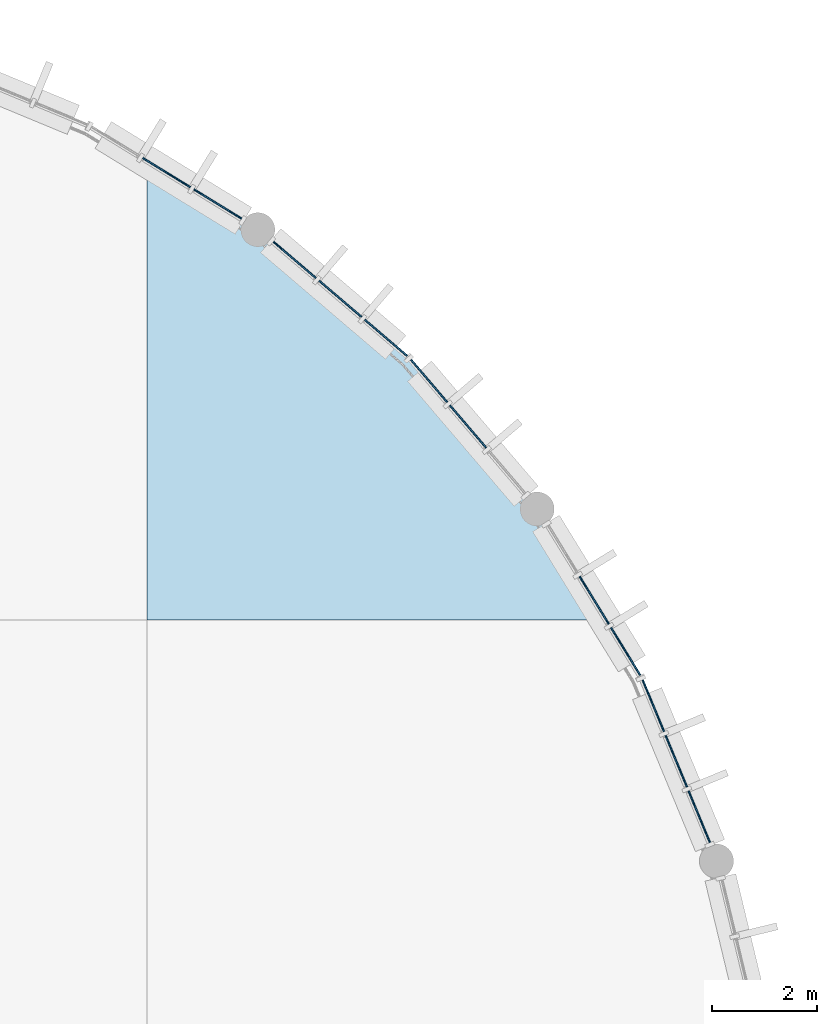
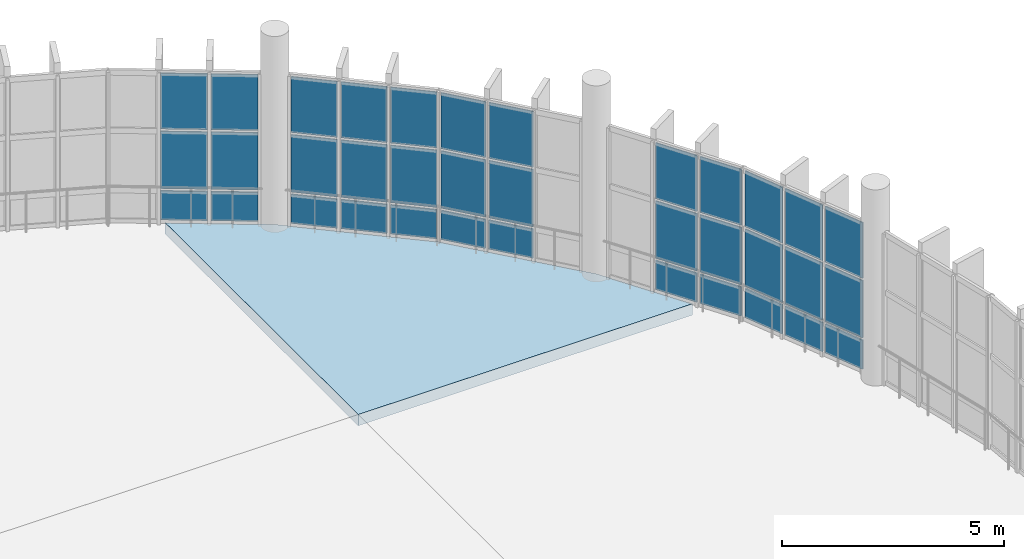
# One storey, part 75 of 112: 36 plates, 1 slab, 5 elements without a shape of their own.
"""IFC4 building model written with IfcOpenShell, lengths in metres."""

from ifc_helpers import new_model, si_unit, direction, frame, origin, origin_2d, place, context, subcontext, project, spatial, polyline, rectangle, outline, extrude, material, layer, layer_set, type_object, element, aggregate, save


model = new_model("IFC4")

# Units and contexts
model_context = context("Model", 3, precision=1e-05, world=origin(), true_north=direction((0.0, 1.0)))
body_context = subcontext(model_context, "Body", "Model", "MODEL_VIEW")
ifc_project = project(units=[si_unit("LENGTHUNIT", "METRE"), si_unit("AREAUNIT", "SQUARE_METRE"), si_unit("VOLUMEUNIT", "CUBIC_METRE"), si_unit("PLANEANGLEUNIT", "RADIAN"), si_unit("MASSUNIT", "GRAM", prefix="KILO")], contexts=[model_context])

# Site, building, storey
site_placement = place(None, origin())
site = spatial("IfcSite", under=ifc_project, at=site_placement, CompositionType="ELEMENT")
building_placement = place(site_placement, origin())
building = spatial("IfcBuilding", under=site, at=building_placement, Name="Kamomehara Wholesale Market", CompositionType="ELEMENT")
storey_placement = place(building_placement, frame((0.0, 0.0, 6.60009765625)))
storey = spatial("IfcBuildingStorey", under=building, at=storey_placement, Name="L01", CompositionType="ELEMENT", Elevation=6.60009765625)

# Curtain wall, plates
ifc_material_1 = material(Name="Anodised aluminium 6063-T5", Category="aluminium")
curtain_wall_type = type_object("IfcCurtainWallType", Name="CW-UN-05", PredefinedType="NOTDEFINED", material=ifc_material_1)
curtain_wall_1_placement = place(storey_placement, origin())
curtain_wall_1 = element("IfcCurtainWall", 1, at=curtain_wall_1_placement, inside=storey, type_object=curtain_wall_type, Name="Unitised curtain wall CW-100", PredefinedType="NOTDEFINED")
ifc_material_2 = material(Name="Solar-control Low-E double glazing", Category="glass")
ifc_layer_1 = layer(ifc_material_2, 0.028076171875)
ifc_layer_set_1 = layer_set([ifc_layer_1], Name="Solar-control Low-E double glazing")
plate_type_1 = type_object("IfcPlateType", Name="CW-PNL-GLZ", PredefinedType="CURTAIN_PANEL", material=ifc_layer_set_1)
plate_1_placement = place(storey_placement, frame((192.373046875, 152.501953125, 0.929931640625), z_axis=(0.0, 0.0, 1.0), x_axis=(0.852503345332, -0.522721767481, 0.0)))
plate_1 = element("IfcPlate", 2, at=plate_1_placement, type_object=plate_type_1, Name="Curtain panel CW-100.1.1", PredefinedType="CURTAIN_PANEL", context=body_context, shape_type="SweptSolid", body=[
    extrude(rectangle(XDim=1.06005859375, YDim=0.028076171875, at=origin_2d()), origin(), (0.0, 0.0, 1.0), 1.580078125),
])
plate_2_placement = place(storey_placement, frame((192.373046875, 152.501953125, 2.56982421875), z_axis=(0.0, 0.0, 1.0), x_axis=(0.852503345332, -0.522721767481, 0.0)))
plate_2 = element("IfcPlate", 3, at=plate_2_placement, type_object=plate_type_1, Name="Curtain panel CW-100.1.2", PredefinedType="CURTAIN_PANEL", context=body_context, shape_type="SweptSolid", body=[
    extrude(rectangle(XDim=1.06005859375, YDim=0.028076171875, at=origin_2d()), origin(), (0.0, 0.0, 1.0), 1.5400390625),
])
plate_3_placement = place(storey_placement, frame((193.344970703125, 151.906005859375, 0.929931640625), z_axis=(0.0, 0.0, 1.0), x_axis=(0.852503345332, -0.522721767481, 0.0)))
plate_3 = element("IfcPlate", 4, at=plate_3_placement, type_object=plate_type_1, Name="Curtain panel CW-100.2.1", PredefinedType="CURTAIN_PANEL", context=body_context, shape_type="SweptSolid", body=[
    extrude(rectangle(XDim=1.06005859375, YDim=0.028076171875, at=origin_2d()), origin(), (0.0, 0.0, 1.0), 1.580078125),
])
plate_4_placement = place(storey_placement, frame((193.344970703125, 151.906005859375, 2.56982421875), z_axis=(0.0, 0.0, 1.0), x_axis=(0.852503345332, -0.522721767481, 0.0)))
plate_4 = element("IfcPlate", 5, at=plate_4_placement, type_object=plate_type_1, Name="Curtain panel CW-100.2.2", PredefinedType="CURTAIN_PANEL", context=body_context, shape_type="SweptSolid", body=[
    extrude(rectangle(XDim=1.06005859375, YDim=0.028076171875, at=origin_2d()), origin(), (0.0, 0.0, 1.0), 1.5400390625),
])

curtain_wall_2_placement = place(storey_placement, origin())
curtain_wall_2 = element("IfcCurtainWall", 6, at=curtain_wall_2_placement, inside=storey, type_object=curtain_wall_type, Name="Unitised curtain wall CW-101", PredefinedType="NOTDEFINED")
plate_5_placement = place(storey_placement, frame((194.80810546875, 150.843017578125, 0.929931640625), z_axis=(0.0, 0.0, 1.0), x_axis=(0.760473971471, -0.649368415243, 0.0)))
plate_5 = element("IfcPlate", 7, at=plate_5_placement, type_object=plate_type_1, Name="Curtain panel CW-101.0.1", PredefinedType="CURTAIN_PANEL", context=body_context, shape_type="SweptSolid", body=[
    extrude(rectangle(XDim=1.06005859375, YDim=0.028076171875, at=origin_2d()), origin(), (0.0, 0.0, 1.0), 1.580078125),
])
plate_6_placement = place(storey_placement, frame((194.80810546875, 150.843017578125, 2.56982421875), z_axis=(0.0, 0.0, 1.0), x_axis=(0.760473971471, -0.649368415243, 0.0)))
plate_6 = element("IfcPlate", 8, at=plate_6_placement, type_object=plate_type_1, Name="Curtain panel CW-101.0.2", PredefinedType="CURTAIN_PANEL", context=body_context, shape_type="SweptSolid", body=[
    extrude(rectangle(XDim=1.06005859375, YDim=0.028076171875, at=origin_2d()), origin(), (0.0, 0.0, 1.0), 1.5400390625),
])
plate_7_placement = place(storey_placement, frame((195.675048828125, 150.10302734375, 0.929931640625), z_axis=(0.0, 0.0, 1.0), x_axis=(0.760473971471, -0.649368415243, 0.0)))
plate_7 = element("IfcPlate", 9, at=plate_7_placement, type_object=plate_type_1, Name="Curtain panel CW-101.1.1", PredefinedType="CURTAIN_PANEL", context=body_context, shape_type="SweptSolid", body=[
    extrude(rectangle(XDim=1.06005859375, YDim=0.028076171875, at=origin_2d()), origin(), (0.0, 0.0, 1.0), 1.580078125),
])
plate_8_placement = place(storey_placement, frame((195.675048828125, 150.10302734375, 2.56982421875), z_axis=(0.0, 0.0, 1.0), x_axis=(0.760473971471, -0.649368415243, 0.0)))
plate_8 = element("IfcPlate", 10, at=plate_8_placement, type_object=plate_type_1, Name="Curtain panel CW-101.1.2", PredefinedType="CURTAIN_PANEL", context=body_context, shape_type="SweptSolid", body=[
    extrude(rectangle(XDim=1.06005859375, YDim=0.028076171875, at=origin_2d()), origin(), (0.0, 0.0, 1.0), 1.5400390625),
])
plate_9_placement = place(storey_placement, frame((196.5419921875, 149.362060546875, 0.929931640625), z_axis=(0.0, 0.0, 1.0), x_axis=(0.760473971471, -0.649368415243, 0.0)))
plate_9 = element("IfcPlate", 11, at=plate_9_placement, type_object=plate_type_1, Name="Curtain panel CW-101.2.1", PredefinedType="CURTAIN_PANEL", context=body_context, shape_type="SweptSolid", body=[
    extrude(rectangle(XDim=1.06005859375, YDim=0.028076171875, at=origin_2d()), origin(), (0.0, 0.0, 1.0), 1.580078125),
])
plate_10_placement = place(storey_placement, frame((196.5419921875, 149.362060546875, 2.56982421875), z_axis=(0.0, 0.0, 1.0), x_axis=(0.760473971471, -0.649368415243, 0.0)))
plate_10 = element("IfcPlate", 12, at=plate_10_placement, type_object=plate_type_1, Name="Curtain panel CW-101.2.2", PredefinedType="CURTAIN_PANEL", context=body_context, shape_type="SweptSolid", body=[
    extrude(rectangle(XDim=1.06005859375, YDim=0.028076171875, at=origin_2d()), origin(), (0.0, 0.0, 1.0), 1.5400390625),
])

curtain_wall_3_placement = place(storey_placement, origin())
curtain_wall_3 = element("IfcCurtainWall", 13, at=curtain_wall_3_placement, inside=storey, type_object=curtain_wall_type, Name="Unitised curtain wall CW-102", PredefinedType="NOTDEFINED")
plate_11_placement = place(storey_placement, frame((197.362060546875, 148.5419921875, 0.929931640625), z_axis=(0.0, 0.0, 1.0), x_axis=(0.649368415243, -0.760473971471, 0.0)))
plate_11 = element("IfcPlate", 14, at=plate_11_placement, type_object=plate_type_1, Name="Curtain panel CW-102.0.1", PredefinedType="CURTAIN_PANEL", context=body_context, shape_type="SweptSolid", body=[
    extrude(rectangle(XDim=1.06005859375, YDim=0.028076171875, at=origin_2d()), origin(), (0.0, 0.0, 1.0), 1.580078125),
])
plate_12_placement = place(storey_placement, frame((197.362060546875, 148.5419921875, 2.56982421875), z_axis=(0.0, 0.0, 1.0), x_axis=(0.649368415243, -0.760473971471, 0.0)))
plate_12 = element("IfcPlate", 15, at=plate_12_placement, type_object=plate_type_1, Name="Curtain panel CW-102.0.2", PredefinedType="CURTAIN_PANEL", context=body_context, shape_type="SweptSolid", body=[
    extrude(rectangle(XDim=1.06005859375, YDim=0.028076171875, at=origin_2d()), origin(), (0.0, 0.0, 1.0), 1.5400390625),
])
plate_13_placement = place(storey_placement, frame((198.10302734375, 147.675048828125, 0.929931640625), z_axis=(0.0, 0.0, 1.0), x_axis=(0.649368415243, -0.760473971471, 0.0)))
plate_13 = element("IfcPlate", 16, at=plate_13_placement, type_object=plate_type_1, Name="Curtain panel CW-102.1.1", PredefinedType="CURTAIN_PANEL", context=body_context, shape_type="SweptSolid", body=[
    extrude(rectangle(XDim=1.06005859375, YDim=0.028076171875, at=origin_2d()), origin(), (0.0, 0.0, 1.0), 1.580078125),
])
plate_14_placement = place(storey_placement, frame((198.10302734375, 147.675048828125, 2.56982421875), z_axis=(0.0, 0.0, 1.0), x_axis=(0.649368415243, -0.760473971471, 0.0)))
plate_14 = element("IfcPlate", 17, at=plate_14_placement, type_object=plate_type_1, Name="Curtain panel CW-102.1.2", PredefinedType="CURTAIN_PANEL", context=body_context, shape_type="SweptSolid", body=[
    extrude(rectangle(XDim=1.06005859375, YDim=0.028076171875, at=origin_2d()), origin(), (0.0, 0.0, 1.0), 1.5400390625),
])

curtain_wall_4_placement = place(storey_placement, origin())
curtain_wall_4 = element("IfcCurtainWall", 18, at=curtain_wall_4_placement, inside=storey, type_object=curtain_wall_type, Name="Unitised curtain wall CW-103", PredefinedType="NOTDEFINED")
plate_15_placement = place(storey_placement, frame((200.501953125, 144.373046875, 0.929931640625), z_axis=(0.0, 0.0, 1.0), x_axis=(0.522721767481, -0.852503345332, 0.0)))
plate_15 = element("IfcPlate", 19, at=plate_15_placement, type_object=plate_type_1, Name="Curtain panel CW-103.1.1", PredefinedType="CURTAIN_PANEL", context=body_context, shape_type="SweptSolid", body=[
    extrude(rectangle(XDim=1.06005859375, YDim=0.028076171875, at=origin_2d()), origin(), (0.0, 0.0, 1.0), 1.580078125),
])
plate_16_placement = place(storey_placement, frame((200.501953125, 144.373046875, 2.56982421875), z_axis=(0.0, 0.0, 1.0), x_axis=(0.522721767481, -0.852503345332, 0.0)))
plate_16 = element("IfcPlate", 20, at=plate_16_placement, type_object=plate_type_1, Name="Curtain panel CW-103.1.2", PredefinedType="CURTAIN_PANEL", context=body_context, shape_type="SweptSolid", body=[
    extrude(rectangle(XDim=1.06005859375, YDim=0.028076171875, at=origin_2d()), origin(), (0.0, 0.0, 1.0), 1.5400390625),
])
plate_17_placement = place(storey_placement, frame((201.097900390625, 143.40087890625, 0.929931640625), z_axis=(0.0, 0.0, 1.0), x_axis=(0.522721767481, -0.852503345332, 0.0)))
plate_17 = element("IfcPlate", 21, at=plate_17_placement, type_object=plate_type_1, Name="Curtain panel CW-103.2.1", PredefinedType="CURTAIN_PANEL", context=body_context, shape_type="SweptSolid", body=[
    extrude(rectangle(XDim=1.06005859375, YDim=0.028076171875, at=origin_2d()), origin(), (0.0, 0.0, 1.0), 1.580078125),
])
plate_18_placement = place(storey_placement, frame((201.097900390625, 143.40087890625, 2.56982421875), z_axis=(0.0, 0.0, 1.0), x_axis=(0.522721767481, -0.852503345332, 0.0)))
plate_18 = element("IfcPlate", 22, at=plate_18_placement, type_object=plate_type_1, Name="Curtain panel CW-103.2.2", PredefinedType="CURTAIN_PANEL", context=body_context, shape_type="SweptSolid", body=[
    extrude(rectangle(XDim=1.06005859375, YDim=0.028076171875, at=origin_2d()), origin(), (0.0, 0.0, 1.0), 1.5400390625),
])

curtain_wall_5_placement = place(storey_placement, origin())
curtain_wall_5 = element("IfcCurtainWall", 23, at=curtain_wall_5_placement, inside=storey, type_object=curtain_wall_type, Name="Unitised curtain wall CW-104", PredefinedType="NOTDEFINED")
plate_19_placement = place(storey_placement, frame((201.625, 142.367919921875, 0.929931640625), z_axis=(0.0, 0.0, 1.0), x_axis=(0.382602807209, -0.923912924423, 0.0)))
plate_19 = element("IfcPlate", 24, at=plate_19_placement, type_object=plate_type_1, Name="Curtain panel CW-104.0.1", PredefinedType="CURTAIN_PANEL", context=body_context, shape_type="SweptSolid", body=[
    extrude(rectangle(XDim=1.06005859375, YDim=0.028076171875, at=origin_2d()), origin(), (0.0, 0.0, 1.0), 1.580078125),
])
plate_20_placement = place(storey_placement, frame((201.625, 142.367919921875, 2.56982421875), z_axis=(0.0, 0.0, 1.0), x_axis=(0.382602807209, -0.923912924423, 0.0)))
plate_20 = element("IfcPlate", 25, at=plate_20_placement, type_object=plate_type_1, Name="Curtain panel CW-104.0.2", PredefinedType="CURTAIN_PANEL", context=body_context, shape_type="SweptSolid", body=[
    extrude(rectangle(XDim=1.06005859375, YDim=0.028076171875, at=origin_2d()), origin(), (0.0, 0.0, 1.0), 1.5400390625),
])
plate_21_placement = place(storey_placement, frame((202.06103515625, 141.31396484375, 0.929931640625), z_axis=(0.0, 0.0, 1.0), x_axis=(0.382602807209, -0.923912924423, 0.0)))
plate_21 = element("IfcPlate", 26, at=plate_21_placement, type_object=plate_type_1, Name="Curtain panel CW-104.1.1", PredefinedType="CURTAIN_PANEL", context=body_context, shape_type="SweptSolid", body=[
    extrude(rectangle(XDim=1.06005859375, YDim=0.028076171875, at=origin_2d()), origin(), (0.0, 0.0, 1.0), 1.580078125),
])
plate_22_placement = place(storey_placement, frame((202.06103515625, 141.31396484375, 2.56982421875), z_axis=(0.0, 0.0, 1.0), x_axis=(0.382602807209, -0.923912924423, 0.0)))
plate_22 = element("IfcPlate", 27, at=plate_22_placement, type_object=plate_type_1, Name="Curtain panel CW-104.1.2", PredefinedType="CURTAIN_PANEL", context=body_context, shape_type="SweptSolid", body=[
    extrude(rectangle(XDim=1.06005859375, YDim=0.028076171875, at=origin_2d()), origin(), (0.0, 0.0, 1.0), 1.5400390625),
])
plate_23_placement = place(storey_placement, frame((202.4970703125, 140.260009765625, 0.929931640625), z_axis=(0.0, 0.0, 1.0), x_axis=(0.382602807209, -0.923912924423, 0.0)))
plate_23 = element("IfcPlate", 28, at=plate_23_placement, type_object=plate_type_1, Name="Curtain panel CW-104.2.1", PredefinedType="CURTAIN_PANEL", context=body_context, shape_type="SweptSolid", body=[
    extrude(rectangle(XDim=1.06005859375, YDim=0.028076171875, at=origin_2d()), origin(), (0.0, 0.0, 1.0), 1.580078125),
])
plate_24_placement = place(storey_placement, frame((202.4970703125, 140.260009765625, 2.56982421875), z_axis=(0.0, 0.0, 1.0), x_axis=(0.382602807209, -0.923912924423, 0.0)))
plate_24 = element("IfcPlate", 29, at=plate_24_placement, type_object=plate_type_1, Name="Curtain panel CW-104.2.2", PredefinedType="CURTAIN_PANEL", context=body_context, shape_type="SweptSolid", body=[
    extrude(rectangle(XDim=1.06005859375, YDim=0.028076171875, at=origin_2d()), origin(), (0.0, 0.0, 1.0), 1.5400390625),
])

# Plate
ifc_material_3 = material(Name="Insulated aluminium spandrel panel", Category="aluminium")
ifc_layer_2 = layer(ifc_material_3, 0.0400390625)
ifc_layer_set_2 = layer_set([ifc_layer_2], Name="Insulated aluminium spandrel panel")
plate_type_2 = type_object("IfcPlateType", Name="CW-PNL-SPN", PredefinedType="CURTAIN_PANEL", material=ifc_layer_set_2)
plate_25_placement = place(storey_placement, frame((192.373046875, 152.501953125, 0.06982421875), z_axis=(0.0, 0.0, 1.0), x_axis=(0.852503345332, -0.522721767481, 0.0)))
plate_25 = element("IfcPlate", 30, at=plate_25_placement, type_object=plate_type_2, Name="Curtain panel CW-100.1.0", PredefinedType="CURTAIN_PANEL", context=body_context, shape_type="SweptSolid", body=[
    extrude(rectangle(XDim=1.06005859375, YDim=0.0400390625, at=origin_2d()), origin(), (0.0, 0.0, 1.0), 0.800048828125),
])

plate_26_placement = place(storey_placement, frame((193.344970703125, 151.906005859375, 0.06982421875), z_axis=(0.0, 0.0, 1.0), x_axis=(0.852503345332, -0.522721767481, 0.0)))
plate_26 = element("IfcPlate", 31, at=plate_26_placement, type_object=plate_type_2, Name="Curtain panel CW-100.2.0", PredefinedType="CURTAIN_PANEL", context=body_context, shape_type="SweptSolid", body=[
    extrude(rectangle(XDim=1.06005859375, YDim=0.0400390625, at=origin_2d()), origin(), (0.0, 0.0, 1.0), 0.800048828125),
])

aggregate(curtain_wall_1, [plate_25, plate_1, plate_2, plate_26, plate_3, plate_4])

plate_27_placement = place(storey_placement, frame((194.80810546875, 150.843017578125, 0.06982421875), z_axis=(0.0, 0.0, 1.0), x_axis=(0.760473971471, -0.649368415243, 0.0)))
plate_27 = element("IfcPlate", 32, at=plate_27_placement, type_object=plate_type_2, Name="Curtain panel CW-101.0.0", PredefinedType="CURTAIN_PANEL", context=body_context, shape_type="SweptSolid", body=[
    extrude(rectangle(XDim=1.06005859375, YDim=0.0400390625, at=origin_2d()), origin(), (0.0, 0.0, 1.0), 0.800048828125),
])

plate_28_placement = place(storey_placement, frame((195.675048828125, 150.10302734375, 0.06982421875), z_axis=(0.0, 0.0, 1.0), x_axis=(0.760473971471, -0.649368415243, 0.0)))
plate_28 = element("IfcPlate", 33, at=plate_28_placement, type_object=plate_type_2, Name="Curtain panel CW-101.1.0", PredefinedType="CURTAIN_PANEL", context=body_context, shape_type="SweptSolid", body=[
    extrude(rectangle(XDim=1.06005859375, YDim=0.0400390625, at=origin_2d()), origin(), (0.0, 0.0, 1.0), 0.800048828125),
])

plate_29_placement = place(storey_placement, frame((196.5419921875, 149.362060546875, 0.06982421875), z_axis=(0.0, 0.0, 1.0), x_axis=(0.760473971471, -0.649368415243, 0.0)))
plate_29 = element("IfcPlate", 34, at=plate_29_placement, type_object=plate_type_2, Name="Curtain panel CW-101.2.0", PredefinedType="CURTAIN_PANEL", context=body_context, shape_type="SweptSolid", body=[
    extrude(rectangle(XDim=1.06005859375, YDim=0.0400390625, at=origin_2d()), origin(), (0.0, 0.0, 1.0), 0.800048828125),
])

aggregate(curtain_wall_2, [plate_27, plate_5, plate_6, plate_28, plate_7, plate_8, plate_29, plate_9, plate_10])

plate_30_placement = place(storey_placement, frame((197.362060546875, 148.5419921875, 0.06982421875), z_axis=(0.0, 0.0, 1.0), x_axis=(0.649368415243, -0.760473971471, 0.0)))
plate_30 = element("IfcPlate", 35, at=plate_30_placement, type_object=plate_type_2, Name="Curtain panel CW-102.0.0", PredefinedType="CURTAIN_PANEL", context=body_context, shape_type="SweptSolid", body=[
    extrude(rectangle(XDim=1.06005859375, YDim=0.0400390625, at=origin_2d()), origin(), (0.0, 0.0, 1.0), 0.800048828125),
])

plate_31_placement = place(storey_placement, frame((198.10302734375, 147.675048828125, 0.06982421875), z_axis=(0.0, 0.0, 1.0), x_axis=(0.649368415243, -0.760473971471, 0.0)))
plate_31 = element("IfcPlate", 36, at=plate_31_placement, type_object=plate_type_2, Name="Curtain panel CW-102.1.0", PredefinedType="CURTAIN_PANEL", context=body_context, shape_type="SweptSolid", body=[
    extrude(rectangle(XDim=1.06005859375, YDim=0.0400390625, at=origin_2d()), origin(), (0.0, 0.0, 1.0), 0.800048828125),
])

aggregate(curtain_wall_3, [plate_30, plate_11, plate_12, plate_31, plate_13, plate_14])

plate_32_placement = place(storey_placement, frame((200.501953125, 144.373046875, 0.06982421875), z_axis=(0.0, 0.0, 1.0), x_axis=(0.522721767481, -0.852503345332, 0.0)))
plate_32 = element("IfcPlate", 37, at=plate_32_placement, type_object=plate_type_2, Name="Curtain panel CW-103.1.0", PredefinedType="CURTAIN_PANEL", context=body_context, shape_type="SweptSolid", body=[
    extrude(rectangle(XDim=1.06005859375, YDim=0.0400390625, at=origin_2d()), origin(), (0.0, 0.0, 1.0), 0.800048828125),
])

plate_33_placement = place(storey_placement, frame((201.097900390625, 143.40087890625, 0.06982421875), z_axis=(0.0, 0.0, 1.0), x_axis=(0.522721767481, -0.852503345332, 0.0)))
plate_33 = element("IfcPlate", 38, at=plate_33_placement, type_object=plate_type_2, Name="Curtain panel CW-103.2.0", PredefinedType="CURTAIN_PANEL", context=body_context, shape_type="SweptSolid", body=[
    extrude(rectangle(XDim=1.06005859375, YDim=0.0400390625, at=origin_2d()), origin(), (0.0, 0.0, 1.0), 0.800048828125),
])

aggregate(curtain_wall_4, [plate_32, plate_15, plate_16, plate_33, plate_17, plate_18])

plate_34_placement = place(storey_placement, frame((201.625, 142.367919921875, 0.06982421875), z_axis=(0.0, 0.0, 1.0), x_axis=(0.382602807209, -0.923912924423, 0.0)))
plate_34 = element("IfcPlate", 39, at=plate_34_placement, type_object=plate_type_2, Name="Curtain panel CW-104.0.0", PredefinedType="CURTAIN_PANEL", context=body_context, shape_type="SweptSolid", body=[
    extrude(rectangle(XDim=1.06005859375, YDim=0.0400390625, at=origin_2d()), origin(), (0.0, 0.0, 1.0), 0.800048828125),
])

plate_35_placement = place(storey_placement, frame((202.06103515625, 141.31396484375, 0.06982421875), z_axis=(0.0, 0.0, 1.0), x_axis=(0.382602807209, -0.923912924423, 0.0)))
plate_35 = element("IfcPlate", 40, at=plate_35_placement, type_object=plate_type_2, Name="Curtain panel CW-104.1.0", PredefinedType="CURTAIN_PANEL", context=body_context, shape_type="SweptSolid", body=[
    extrude(rectangle(XDim=1.06005859375, YDim=0.0400390625, at=origin_2d()), origin(), (0.0, 0.0, 1.0), 0.800048828125),
])

plate_36_placement = place(storey_placement, frame((202.4970703125, 140.260009765625, 0.06982421875), z_axis=(0.0, 0.0, 1.0), x_axis=(0.382602807209, -0.923912924423, 0.0)))
plate_36 = element("IfcPlate", 41, at=plate_36_placement, type_object=plate_type_2, Name="Curtain panel CW-104.2.0", PredefinedType="CURTAIN_PANEL", context=body_context, shape_type="SweptSolid", body=[
    extrude(rectangle(XDim=1.06005859375, YDim=0.0400390625, at=origin_2d()), origin(), (0.0, 0.0, 1.0), 0.800048828125),
])

aggregate(curtain_wall_5, [plate_34, plate_19, plate_20, plate_35, plate_21, plate_22, plate_36, plate_23, plate_24])

# Slab
ifc_material_4 = material(Name="Concrete Fc36 (C35/45)", Category="concrete")
ifc_layer_3 = layer(ifc_material_4, 0.31005859375)
ifc_layer_set_3 = layer_set([ifc_layer_3], Name="Concrete Fc36 (C35/45)")
slab_type = type_object("IfcSlabType", Name="SLB-FLR-220", PredefinedType="FLOOR", material=ifc_layer_set_3)
slab_placement = place(storey_placement, frame((0.0, 0.0, -0.31005859375)))
element("IfcSlab", 42, at=slab_placement, inside=storey, type_object=slab_type, Name="Floor slab V1 L01 90", PredefinedType="FLOOR", context=body_context, shape_type="SweptSolid", body=[
    extrude(outline(polyline([(192.0, 144.0), (192.0, 152.70703125), (194.10693359375, 151.416015625), (196.970947265625, 148.970947265625), (199.416015625, 146.10693359375), (200.70703125, 144.0), (192.0, 144.0)])), origin(), (0.0, 0.0, 1.0), 0.31005859375),
])

save(model, "model.ifc")
